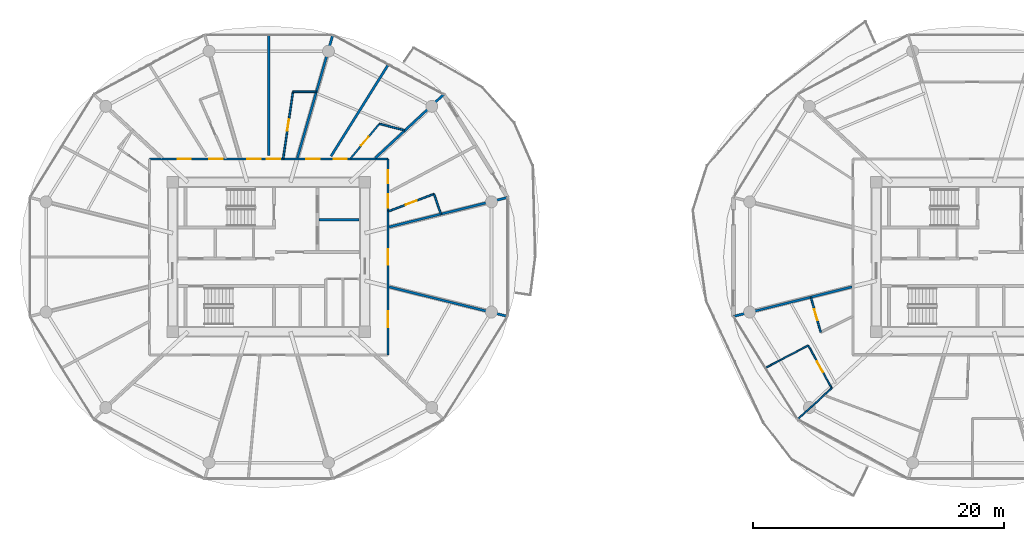
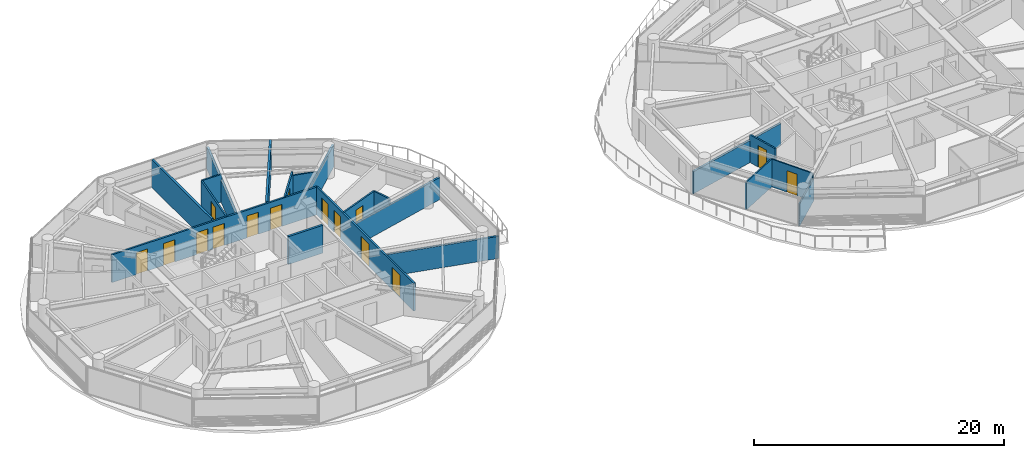
# One storey, part 17 of 26: 20 walls, 15 doors, 15 openings.
"""IFC4 building model written with IfcOpenShell, lengths in metres."""

from ifc_helpers import new_model, si_unit, direction, frame, frame_2d, origin, place, context, subcontext, project, spatial, rectangle, extrude, source, transform, mapped, material, layer, layer_set, type_object, type_shapes, element, fill, save


model = new_model("IFC4")

# Units and contexts
model_context = context("Model", 3, precision=1e-05, world=origin(), true_north=direction((0.0, 1.0)))
body_context = subcontext(model_context, "Body", "Model", "MODEL_VIEW")
ifc_project = project(units=[si_unit("LENGTHUNIT", "METRE"), si_unit("AREAUNIT", "SQUARE_METRE"), si_unit("VOLUMEUNIT", "CUBIC_METRE"), si_unit("PLANEANGLEUNIT", "RADIAN"), si_unit("MASSUNIT", "GRAM", prefix="KILO")], contexts=[model_context])

# Site, building, storey
site_placement = place(None, origin())
site = spatial("IfcSite", under=ifc_project, at=site_placement, CompositionType="ELEMENT")
building_placement = place(site_placement, origin())
building = spatial("IfcBuilding", under=site, at=building_placement, Name="Norrkilde Senior Care Towers", CompositionType="ELEMENT")
storey_placement = place(building_placement, frame((0.0, 0.0, 70.39990234375)))
storey = spatial("IfcBuildingStorey", under=building, at=storey_placement, Name="L21", CompositionType="ELEMENT", Elevation=70.39990234375)

# Wall
ifc_material_1 = material(Name="Concrete C45/55", Category="concrete")
ifc_layer_1 = layer(ifc_material_1, 0.199951171875)
ifc_layer_set_1 = layer_set([ifc_layer_1], Name="Concrete C45/55")
wall_type_1 = type_object("IfcWallType", Name="Shaft Division and Plant Partition 200", PredefinedType="PARTITIONING", material=ifc_layer_set_1)
shared_shape_1 = source(origin(), body_context, "Body", "SweptSolid", [
    extrude(rectangle(XDim=3.199951171875, YDim=0.199951171875, at=frame_2d((1.60009765625, 0.0))), origin(), (0.0, 0.0, 1.0), 2.715087890625),
])
type_shapes(wall_type_1, [shared_shape_1])
wall_1_placement = place(storey_placement, frame((-24.0, 2.949951171875, 0.0), z_axis=(0.0, 0.0, 1.0), x_axis=(1.0, 0.0, 0.0)))
element("IfcWall", 1, at=wall_1_placement, inside=storey, type_object=wall_type_1, Name="WL-INT-L21-W-FFLDIV", PredefinedType="PARTITIONING", context=body_context, shape_type="MappedRepresentation", body=[
    mapped(shared_shape_1, transform((0.0, 0.0, 0.0), x_axis=(1.0, 0.0, 0.0), y_axis=(0.0, 1.0, 0.0), z_axis=(0.0, 0.0, 1.0), scale=1.0)),
])

# Wall, openings, doors
ifc_material_2 = material(Name="Gypsum Acoustic Board")
ifc_layer_2 = layer(ifc_material_2, 0.1650390625)
ifc_layer_set_2 = layer_set([ifc_layer_2], Name="Gypsum Acoustic Board")
wall_type_2 = type_object("IfcWallType", Name="Corridor Rated Partition 165", PredefinedType="PARTITIONING", material=ifc_layer_set_2)
shared_shape_2 = source(origin(), body_context, "Body", "SweptSolid", [
    extrude(rectangle(XDim=19.0, YDim=0.1650390625, at=frame_2d((9.5, 0.0))), origin(), (0.0, 0.0, 1.0), 2.715087890625),
])
wall_2_placement = place(storey_placement, frame((-37.5, 7.800048828125, 0.0), z_axis=(0.0, 0.0, 1.0), x_axis=(1.0, 0.0, 0.0)))
wall_2 = element("IfcWall", 2, at=wall_2_placement, inside=storey, type_object=wall_type_2, Name="WL-INT-L21-W-CRW-N-0", PredefinedType="PARTITIONING", context=body_context, shape_type="MappedRepresentation", body=[
    mapped(shared_shape_2, transform((0.0, 0.0, 0.0), x_axis=(1.0, 0.0, 0.0), y_axis=(0.0, 1.0, 0.0), z_axis=(0.0, 0.0, 1.0), scale=1.0)),
])
opening_1_placement = place(wall_2_placement, frame((14.6533203125, 0.0, 0.0)))
opening_1 = element("IfcOpeningElement", 3, at=opening_1_placement, cuts=wall_2, Name="Opening D-06", PredefinedType="OPENING", context=body_context, shape_type="SweptSolid", body=[
    extrude(rectangle(XDim=1.050048828125, YDim=2.14990234375, at=frame_2d((0.52490234375, 1.074951171875))), frame((0.0, 0.092529296875, 0.0), z_axis=(0.0, -1.0, 0.0), x_axis=(1.0, 0.0, 0.0)), (0.0, 0.0, 1.0), 0.18505859375),
])
opening_2_placement = place(wall_2_placement, frame((12.499755859375, 0.0, 0.0)))
opening_2 = element("IfcOpeningElement", 4, at=opening_2_placement, cuts=wall_2, Name="Opening D-06", PredefinedType="OPENING", context=body_context, shape_type="SweptSolid", body=[
    extrude(rectangle(XDim=1.050048828125, YDim=2.14990234375, at=frame_2d((0.52490234375, 1.074951171875))), frame((0.0, 0.092529296875, 0.0), z_axis=(0.0, -1.0, 0.0), x_axis=(1.0, 0.0, 0.0)), (0.0, 0.0, 1.0), 0.18505859375),
])
opening_3_placement = place(wall_2_placement, frame((9.351806640625, 0.0, 0.0)))
opening_3 = element("IfcOpeningElement", 5, at=opening_3_placement, cuts=wall_2, Name="Opening D-06", PredefinedType="OPENING", context=body_context, shape_type="SweptSolid", body=[
    extrude(rectangle(XDim=1.050048828125, YDim=2.14990234375, at=frame_2d((0.52490234375, 1.074951171875))), frame((0.0, 0.092529296875, 0.0), z_axis=(0.0, -1.0, 0.0), x_axis=(1.0, 0.0, 0.0)), (0.0, 0.0, 1.0), 0.18505859375),
])
opening_4_placement = place(wall_2_placement, frame((7.806396484375, 0.0, 0.0)))
opening_4 = element("IfcOpeningElement", 6, at=opening_4_placement, cuts=wall_2, Name="Opening D-06", PredefinedType="OPENING", context=body_context, shape_type="SweptSolid", body=[
    extrude(rectangle(XDim=1.050048828125, YDim=2.14990234375, at=frame_2d((0.52490234375, 1.074951171875))), frame((0.0, 0.092529296875, 0.0), z_axis=(0.0, -1.0, 0.0), x_axis=(1.0, 0.0, 0.0)), (0.0, 0.0, 1.0), 0.18505859375),
])
opening_5_placement = place(wall_2_placement, frame((4.77294921875, 0.0, 0.0)))
opening_5 = element("IfcOpeningElement", 7, at=opening_5_placement, cuts=wall_2, Name="Opening D-06", PredefinedType="OPENING", context=body_context, shape_type="SweptSolid", body=[
    extrude(rectangle(XDim=1.050048828125, YDim=2.14990234375, at=frame_2d((0.52490234375, 1.074951171875))), frame((0.0, 0.092529296875, 0.0), z_axis=(0.0, -1.0, 0.0), x_axis=(1.0, 0.0, 0.0)), (0.0, 0.0, 1.0), 0.18505859375),
])
opening_6_placement = place(wall_2_placement, frame((2.251220703125, 0.0, 0.0)))
opening_6 = element("IfcOpeningElement", 8, at=opening_6_placement, cuts=wall_2, Name="Opening D-06", PredefinedType="OPENING", context=body_context, shape_type="SweptSolid", body=[
    extrude(rectangle(XDim=1.050048828125, YDim=2.14990234375, at=frame_2d((0.52490234375, 1.074951171875))), frame((0.0, 0.092529296875, 0.0), z_axis=(0.0, -1.0, 0.0), x_axis=(1.0, 0.0, 0.0)), (0.0, 0.0, 1.0), 0.18505859375),
])
ifc_material_3 = material(Name="Nordic Ash Timber", Category="wood")
door_type_1 = type_object("IfcDoorType", Name="Apartment Entrance Fire Door 1050x2150", OperationType="NOTDEFINED", PredefinedType="DOOR", material=ifc_material_3)
shared_shape_3 = source(origin(), body_context, "Body", "SweptSolid", [
    extrude(rectangle(XDim=1.050048828125, YDim=2.14990234375, at=frame_2d((0.52490234375, 1.074951171875))), frame((0.0, 0.02490234375, 0.0), z_axis=(0.0, -1.0, 0.0), x_axis=(1.0, 0.0, 0.0)), (0.0, 0.0, 1.0), 0.050048828125),
])
type_shapes(door_type_1, [shared_shape_3])
door_1_placement = place(opening_1_placement, frame((1.050048828125, 0.0, 0.0), z_axis=(0.0, 0.0, 1.0), x_axis=(-1.0, 0.0, 0.0)))
door_1 = element("IfcDoor", 9, at=door_1_placement, inside=storey, type_object=door_type_1, Name="L21 Care Suite 2101A Entrance Door", OperationType="SINGLE_SWING_RIGHT", OverallHeight=2.14990234375, OverallWidth=1.050048828125, PredefinedType="DOOR", context=body_context, shape_type="MappedRepresentation", body=[
    mapped(shared_shape_3, transform((0.0, 0.0, 0.0), x_axis=(1.0, 0.0, 0.0), y_axis=(0.0, 1.0, 0.0), z_axis=(0.0, 0.0, 1.0), scale=1.0)),
])
fill(opening_1, door_1)
door_2_placement = place(opening_2_placement, frame((1.050048828125, 0.0, 0.0), z_axis=(0.0, 0.0, 1.0), x_axis=(-1.0, 0.0, 0.0)))
door_2 = element("IfcDoor", 10, at=door_2_placement, inside=storey, type_object=door_type_1, Name="L21 Therapy Day Lounge 01 Door", OperationType="SINGLE_SWING_LEFT", OverallHeight=2.14990234375, OverallWidth=1.050048828125, PredefinedType="DOOR", context=body_context, shape_type="MappedRepresentation", body=[
    mapped(shared_shape_3, transform((0.0, 0.0, 0.0), x_axis=(1.0, 0.0, 0.0), y_axis=(0.0, 1.0, 0.0), z_axis=(0.0, 0.0, 1.0), scale=1.0)),
])
fill(opening_2, door_2)
door_3_placement = place(opening_3_placement, frame((1.050048828125, 0.0, 0.0), z_axis=(0.0, 0.0, 1.0), x_axis=(-1.0, 0.0, 0.0)))
door_3 = element("IfcDoor", 11, at=door_3_placement, inside=storey, type_object=door_type_1, Name="L21 Care Suite 2102A Entrance Door", OperationType="SINGLE_SWING_LEFT", OverallHeight=2.14990234375, OverallWidth=1.050048828125, PredefinedType="DOOR", context=body_context, shape_type="MappedRepresentation", body=[
    mapped(shared_shape_3, transform((0.0, 0.0, 0.0), x_axis=(1.0, 0.0, 0.0), y_axis=(0.0, 1.0, 0.0), z_axis=(0.0, 0.0, 1.0), scale=1.0)),
])
fill(opening_3, door_3)
door_4_placement = place(opening_4_placement, frame((1.050048828125, 0.0, 0.0), z_axis=(0.0, 0.0, 1.0), x_axis=(-1.0, 0.0, 0.0)))
door_4 = element("IfcDoor", 12, at=door_4_placement, inside=storey, type_object=door_type_1, Name="L21 Therapy Day Lounge 02 Door", OperationType="SINGLE_SWING_RIGHT", OverallHeight=2.14990234375, OverallWidth=1.050048828125, PredefinedType="DOOR", context=body_context, shape_type="MappedRepresentation", body=[
    mapped(shared_shape_3, transform((0.0, 0.0, 0.0), x_axis=(1.0, 0.0, 0.0), y_axis=(0.0, 1.0, 0.0), z_axis=(0.0, 0.0, 1.0), scale=1.0)),
])
fill(opening_4, door_4)
door_5_placement = place(opening_5_placement, frame((1.050048828125, 0.0, 0.0), z_axis=(0.0, 0.0, 1.0), x_axis=(-1.0, 0.0, 0.0)))
door_5 = element("IfcDoor", 13, at=door_5_placement, inside=storey, type_object=door_type_1, Name="L21 Care Suite 2103A Entrance Door", OperationType="SINGLE_SWING_RIGHT", OverallHeight=2.14990234375, OverallWidth=1.050048828125, PredefinedType="DOOR", context=body_context, shape_type="MappedRepresentation", body=[
    mapped(shared_shape_3, transform((0.0, 0.0, 0.0), x_axis=(1.0, 0.0, 0.0), y_axis=(0.0, 1.0, 0.0), z_axis=(0.0, 0.0, 1.0), scale=1.0)),
])
fill(opening_5, door_5)
door_6_placement = place(opening_6_placement, frame((1.050048828125, 0.0, 0.0), z_axis=(0.0, 0.0, 1.0), x_axis=(-1.0, 0.0, 0.0)))
door_6 = element("IfcDoor", 14, at=door_6_placement, inside=storey, type_object=door_type_1, Name="L21 Therapy Day Lounge 03 Door", OperationType="SINGLE_SWING_LEFT", OverallHeight=2.14990234375, OverallWidth=1.050048828125, PredefinedType="DOOR", context=body_context, shape_type="MappedRepresentation", body=[
    mapped(shared_shape_3, transform((0.0, 0.0, 0.0), x_axis=(1.0, 0.0, 0.0), y_axis=(0.0, 1.0, 0.0), z_axis=(0.0, 0.0, 1.0), scale=1.0)),
])
fill(opening_6, door_6)

shared_shape_4 = source(origin(), body_context, "Body", "SweptSolid", [
    extrude(rectangle(XDim=15.60009765625, YDim=0.1650390625, at=frame_2d((7.800048828125, 0.0))), origin(), (0.0, 0.0, 1.0), 2.715087890625),
])
type_shapes(wall_type_2, [shared_shape_2, shared_shape_4])
wall_3_placement = place(storey_placement, frame((-18.5, 7.800048828125, 0.0), z_axis=(0.0, 0.0, 1.0), x_axis=(0.0, -1.0, 0.0)))
wall_3 = element("IfcWall", 15, at=wall_3_placement, inside=storey, type_object=wall_type_2, Name="WL-INT-L21-W-CRW-E-0", PredefinedType="PARTITIONING", context=body_context, shape_type="MappedRepresentation", body=[
    mapped(shared_shape_4, transform((0.0, 0.0, 0.0), x_axis=(1.0, 0.0, 0.0), y_axis=(0.0, 1.0, 0.0), z_axis=(0.0, 0.0, 1.0), scale=1.0)),
])
opening_7_placement = place(wall_3_placement, frame((12.141357421875, 0.0, 0.0)))
opening_7 = element("IfcOpeningElement", 16, at=opening_7_placement, cuts=wall_3, Name="Opening D-05", PredefinedType="OPENING", context=body_context, shape_type="SweptSolid", body=[
    extrude(rectangle(XDim=1.25, YDim=2.199951171875, at=frame_2d((0.625, 1.10009765625))), frame((0.0, 0.092529296875, 0.0), z_axis=(0.0, -1.0, 0.0), x_axis=(1.0, 0.0, 0.0)), (0.0, 0.0, 1.0), 0.18505859375),
])
opening_8_placement = place(wall_3_placement, frame((7.175048828125, 0.0, 0.0)))
opening_8 = element("IfcOpeningElement", 17, at=opening_8_placement, cuts=wall_3, Name="Opening D-05", PredefinedType="OPENING", context=body_context, shape_type="SweptSolid", body=[
    extrude(rectangle(XDim=1.25, YDim=2.199951171875, at=frame_2d((0.625, 1.10009765625))), frame((0.0, 0.092529296875, 0.0), z_axis=(0.0, -1.0, 0.0), x_axis=(1.0, 0.0, 0.0)), (0.0, 0.0, 1.0), 0.18505859375),
])
opening_9_placement = place(wall_3_placement, frame((2.826416015625, 0.0, 0.0)))
opening_9 = element("IfcOpeningElement", 18, at=opening_9_placement, cuts=wall_3, Name="Opening D-06", PredefinedType="OPENING", context=body_context, shape_type="SweptSolid", body=[
    extrude(rectangle(XDim=1.050048828125, YDim=2.14990234375, at=frame_2d((0.52490234375, 1.074951171875))), frame((0.0, 0.092529296875, 0.0), z_axis=(0.0, -1.0, 0.0), x_axis=(1.0, 0.0, 0.0)), (0.0, 0.0, 1.0), 0.18505859375),
])
opening_10_placement = place(wall_3_placement, frame((0.88134765625, 0.0, 0.0)))
opening_10 = element("IfcOpeningElement", 19, at=opening_10_placement, cuts=wall_3, Name="Opening D-06", PredefinedType="OPENING", context=body_context, shape_type="SweptSolid", body=[
    extrude(rectangle(XDim=1.050048828125, YDim=2.14990234375, at=frame_2d((0.52490234375, 1.074951171875))), frame((0.0, 0.092529296875, 0.0), z_axis=(0.0, -1.0, 0.0), x_axis=(1.0, 0.0, 0.0)), (0.0, 0.0, 1.0), 0.18505859375),
])
door_type_2 = type_object("IfcDoorType", Name="Care Bedroom Bariatric Door 1250x2200", OperationType="NOTDEFINED", PredefinedType="DOOR", material=ifc_material_3)
shared_shape_5 = source(origin(), body_context, "Body", "SweptSolid", [
    extrude(rectangle(XDim=1.25, YDim=2.199951171875, at=frame_2d((0.625, 1.10009765625))), frame((0.0, 0.02490234375, 0.0), z_axis=(0.0, -1.0, 0.0), x_axis=(1.0, 0.0, 0.0)), (0.0, 0.0, 1.0), 0.050048828125),
])
type_shapes(door_type_2, [shared_shape_5])
door_7_placement = place(opening_7_placement, frame((1.25, 0.0, 0.0), z_axis=(0.0, 0.0, 1.0), x_axis=(-1.0, 0.0, 0.0)))
door_7 = element("IfcDoor", 20, at=door_7_placement, inside=storey, type_object=door_type_2, Name="L21 Care Coordination Charting Office Door", OperationType="SINGLE_SWING_LEFT", OverallHeight=2.199951171875, OverallWidth=1.25, PredefinedType="DOOR", context=body_context, shape_type="MappedRepresentation", body=[
    mapped(shared_shape_5, transform((0.0, 0.0, 0.0), x_axis=(1.0, 0.0, 0.0), y_axis=(0.0, 1.0, 0.0), z_axis=(0.0, 0.0, 1.0), scale=1.0)),
])
fill(opening_7, door_7)
door_8_placement = place(opening_8_placement, frame((1.25, 0.0, 0.0), z_axis=(0.0, 0.0, 1.0), x_axis=(-1.0, 0.0, 0.0)))
door_8 = element("IfcDoor", 21, at=door_8_placement, inside=storey, type_object=door_type_2, Name="L21 Resident Family Conference Room Door", OperationType="SINGLE_SWING_RIGHT", OverallHeight=2.199951171875, OverallWidth=1.25, PredefinedType="DOOR", context=body_context, shape_type="MappedRepresentation", body=[
    mapped(shared_shape_5, transform((0.0, 0.0, 0.0), x_axis=(1.0, 0.0, 0.0), y_axis=(0.0, 1.0, 0.0), z_axis=(0.0, 0.0, 1.0), scale=1.0)),
])
fill(opening_8, door_8)
door_9_placement = place(opening_9_placement, frame((1.050048828125, 0.0, 0.0), z_axis=(0.0, 0.0, 1.0), x_axis=(-1.0, 0.0, 0.0)))
door_9 = element("IfcDoor", 22, at=door_9_placement, inside=storey, type_object=door_type_1, Name="L21 Care Suite 2100A Entrance Door", OperationType="SINGLE_SWING_LEFT", OverallHeight=2.14990234375, OverallWidth=1.050048828125, PredefinedType="DOOR", context=body_context, shape_type="MappedRepresentation", body=[
    mapped(shared_shape_3, transform((0.0, 0.0, 0.0), x_axis=(1.0, 0.0, 0.0), y_axis=(0.0, 1.0, 0.0), z_axis=(0.0, 0.0, 1.0), scale=1.0)),
])
fill(opening_9, door_9)
door_10_placement = place(opening_10_placement, frame((1.050048828125, 0.0, 0.0), z_axis=(0.0, 0.0, 1.0), x_axis=(-1.0, 0.0, 0.0)))
door_10 = element("IfcDoor", 23, at=door_10_placement, inside=storey, type_object=door_type_1, Name="L21 Therapy Day Lounge 00 Door", OperationType="SINGLE_SWING_RIGHT", OverallHeight=2.14990234375, OverallWidth=1.050048828125, PredefinedType="DOOR", context=body_context, shape_type="MappedRepresentation", body=[
    mapped(shared_shape_3, transform((0.0, 0.0, 0.0), x_axis=(1.0, 0.0, 0.0), y_axis=(0.0, 1.0, 0.0), z_axis=(0.0, 0.0, 1.0), scale=1.0)),
])
fill(opening_10, door_10)

# Walls
ifc_layer_3 = layer(ifc_material_2, 0.18994140625)
ifc_layer_set_3 = layer_set([ifc_layer_3], Name="Gypsum Acoustic Board")
wall_type_3 = type_object("IfcWallType", Name="Unit Demising Acoustic Wall 190", PredefinedType="PARTITIONING", material=ifc_layer_set_3)
shared_shape_6 = source(origin(), body_context, "Body", "SweptSolid", [
    extrude(rectangle(XDim=9.737060546875, YDim=0.18994140625, at=frame_2d((4.86865234375, 0.0))), origin(), (0.0, 0.0, 1.0), 2.1650390625),
])
for number, where, z_axis, x_axis, name in (
    (24, (-18.419921875, -2.384521484375, 0.0), (0.0, 0.0, 1.0), (0.970392716238, -0.241532557375, 0.0), "WL-INT-L21-W-DEM-11-0"),
    (25, (-18.419921875, 2.384521484375, 0.0), (0.0, 0.0, 1.0), (0.970392716238, 0.241532557375, 0.0), "WL-INT-L21-W-DEM-00-0"),
    (26, (18.419921875, -2.384521484375, 0.0), (0.0, 0.0, 1.0), (-0.970392716238, -0.241532557375, 0.0), "WL-INT-L21-E-DEM-06-0"),
):
    element("IfcWall", number, at=place(storey_placement, frame(where, z_axis=z_axis, x_axis=x_axis)), inside=storey, type_object=wall_type_3, Name=name, PredefinedType="PARTITIONING", context=body_context, shape_type="MappedRepresentation", body=[
        mapped(shared_shape_6, transform((0.0, 0.0, 0.0), x_axis=(1.0, 0.0, 0.0), y_axis=(0.0, 1.0, 0.0), z_axis=(0.0, 0.0, 1.0), scale=1.0)),
    ])
shared_shape_7 = source(origin(), body_context, "Body", "SweptSolid", [
    extrude(rectangle(XDim=7.4345703125, YDim=0.18994140625, at=frame_2d((3.71728515625, 0.0))), origin(), (0.0, 0.0, 1.0), 2.1650390625),
])
wall_4_placement = place(storey_placement, frame((-19.51708984375, 7.8798828125, 0.0), z_axis=(0.0, 0.0, 1.0), x_axis=(0.732651956848, 0.680603489652, 0.0)))
element("IfcWall", 27, at=wall_4_placement, inside=storey, type_object=wall_type_3, Name="WL-INT-L21-W-DEM-01-0", PredefinedType="PARTITIONING", context=body_context, shape_type="MappedRepresentation", body=[
    mapped(shared_shape_7, transform((0.0, 0.0, 0.0), x_axis=(1.0, 0.0, 0.0), y_axis=(0.0, 1.0, 0.0), z_axis=(0.0, 0.0, 1.0), scale=1.0)),
])
shared_shape_8 = source(origin(), body_context, "Body", "SweptSolid", [
    extrude(rectangle(XDim=10.196044921875, YDim=0.18994140625, at=frame_2d((5.09814453125, 0.0))), origin(), (0.0, 0.0, 1.0), 2.1650390625),
])
wall_5_placement = place(storey_placement, frame((-25.72705078125, 7.8798828125, 0.0), z_axis=(0.0, 0.0, 1.0), x_axis=(0.277136420347, 0.960830580549, 0.0)))
element("IfcWall", 28, at=wall_5_placement, inside=storey, type_object=wall_type_3, Name="WL-INT-L21-W-DEM-02-0", PredefinedType="PARTITIONING", context=body_context, shape_type="MappedRepresentation", body=[
    mapped(shared_shape_8, transform((0.0, 0.0, 0.0), x_axis=(1.0, 0.0, 0.0), y_axis=(0.0, 1.0, 0.0), z_axis=(0.0, 0.0, 1.0), scale=1.0)),
])

# Wall, opening, door
ifc_layer_4 = layer(ifc_material_2, 0.139892578125)
ifc_layer_set_4 = layer_set([ifc_layer_4], Name="Gypsum Acoustic Board")
wall_type_4 = type_object("IfcWallType", Name="En-suite Wet Room Wall 140", PredefinedType="PARTITIONING", material=ifc_layer_set_4)
shared_shape_9 = source(origin(), body_context, "Body", "SweptSolid", [
    extrude(rectangle(XDim=3.8740234375, YDim=0.139892578125, at=frame_2d((1.93701171875, 0.0))), origin(), (0.0, 0.0, 1.0), 2.715087890625),
])
wall_6_placement = place(storey_placement, frame((-18.469970703125, 3.631591796875, 0.0), z_axis=(0.0, 0.0, 1.0), x_axis=(0.934461775659, 0.35606346321, 0.0)))
wall_6 = element("IfcWall", 29, at=wall_6_placement, inside=storey, type_object=wall_type_4, Name="WL-INT-L21-W-ES-00A", PredefinedType="PARTITIONING", context=body_context, shape_type="MappedRepresentation", body=[
    mapped(shared_shape_9, transform((0.0, 0.0, 0.0), x_axis=(1.0, 0.0, 0.0), y_axis=(0.0, 1.0, 0.0), z_axis=(0.0, 0.0, 1.0), scale=1.0)),
])
opening_11_placement = place(wall_6_placement, frame((1.47705078125, 0.0, 0.0)))
opening_11 = element("IfcOpeningElement", 30, at=opening_11_placement, cuts=wall_6, Name="Opening D-08", PredefinedType="OPENING", context=body_context, shape_type="SweptSolid", body=[
    extrude(rectangle(XDim=0.919921875, YDim=2.10009765625, at=frame_2d((0.4599609375, 1.050048828125))), frame((0.0, 0.079833984375, 0.0), z_axis=(0.0, -1.0, 0.0), x_axis=(1.0, 0.0, 0.0)), (0.0, 0.0, 1.0), 0.159912109375),
])
door_type_3 = type_object("IfcDoorType", Name="Accessible Wet Room Door 920x2100", OperationType="NOTDEFINED", PredefinedType="DOOR", material=ifc_material_3)
shared_shape_10 = source(origin(), body_context, "Body", "SweptSolid", [
    extrude(rectangle(XDim=0.919921875, YDim=2.10009765625, at=frame_2d((0.4599609375, 1.050048828125))), frame((0.0, 0.02490234375, 0.0), z_axis=(0.0, -1.0, 0.0), x_axis=(1.0, 0.0, 0.0)), (0.0, 0.0, 1.0), 0.050048828125),
])
type_shapes(door_type_3, [shared_shape_10])
door_11_placement = place(opening_11_placement, origin())
door_11 = element("IfcDoor", 31, at=door_11_placement, inside=storey, type_object=door_type_3, Name="L21 Care Suite 2100A Bathroom Door", OperationType="SINGLE_SWING_RIGHT", OverallHeight=2.10009765625, OverallWidth=0.919921875, PredefinedType="DOOR", context=body_context, shape_type="MappedRepresentation", body=[
    mapped(shared_shape_10, transform((0.0, 0.0, 0.0), x_axis=(1.0, 0.0, 0.0), y_axis=(0.0, 1.0, 0.0), z_axis=(0.0, 0.0, 1.0), scale=1.0)),
])
fill(opening_11, door_11)

# Walls
shared_shape_11 = source(origin(), body_context, "Body", "SweptSolid", [
    extrude(rectangle(XDim=1.67578125, YDim=0.139892578125, at=frame_2d((0.837890625, 0.0))), origin(), (0.0, 0.0, 1.0), 2.715087890625),
])
wall_7_placement = place(storey_placement, frame((-14.849853515625, 5.010986328125, 0.0), z_axis=(0.0, 0.0, 1.0), x_axis=(0.327785970556, -0.944752008469, 0.0)))
element("IfcWall", 32, at=wall_7_placement, inside=storey, type_object=wall_type_4, Name="WL-INT-L21-W-EF-00A", PredefinedType="PARTITIONING", context=body_context, shape_type="MappedRepresentation", body=[
    mapped(shared_shape_11, transform((0.0, 0.0, 0.0), x_axis=(1.0, 0.0, 0.0), y_axis=(0.0, 1.0, 0.0), z_axis=(0.0, 0.0, 1.0), scale=1.0)),
])
shared_shape_12 = source(origin(), body_context, "Body", "SweptSolid", [
    extrude(rectangle(XDim=8.59814453125, YDim=0.18994140625, at=frame_2d((4.299072265625, 0.0))), origin(), (0.0, 0.0, 1.0), 2.715087890625),
])
wall_8_placement = place(storey_placement, frame((-23.04296875, 8.017333984375, 0.0), z_axis=(0.0, 0.0, 1.0), x_axis=(0.530039776395, 0.847972779893, 0.0)))
element("IfcWall", 33, at=wall_8_placement, inside=storey, type_object=wall_type_3, Name="WL-INT-L21-W-CMID-01", PredefinedType="PARTITIONING", context=body_context, shape_type="MappedRepresentation", body=[
    mapped(shared_shape_12, transform((0.0, 0.0, 0.0), x_axis=(1.0, 0.0, 0.0), y_axis=(0.0, 1.0, 0.0), z_axis=(0.0, 0.0, 1.0), scale=1.0)),
])

# Wall, opening, door
shared_shape_13 = source(origin(), body_context, "Body", "SweptSolid", [
    extrude(rectangle(XDim=3.594482421875, YDim=0.139892578125, at=frame_2d((1.79736328125, 0.0))), origin(), (0.0, 0.0, 1.0), 2.715087890625),
])
wall_9_placement = place(storey_placement, frame((-21.49560546875, 7.830078125, 0.0), z_axis=(0.0, 0.0, 1.0), x_axis=(0.639001147083, 0.769205781326, 0.0)))
wall_9 = element("IfcWall", 34, at=wall_9_placement, inside=storey, type_object=wall_type_4, Name="WL-INT-L21-W-ES-01A", PredefinedType="PARTITIONING", context=body_context, shape_type="MappedRepresentation", body=[
    mapped(shared_shape_13, transform((0.0, 0.0, 0.0), x_axis=(1.0, 0.0, 0.0), y_axis=(0.0, 1.0, 0.0), z_axis=(0.0, 0.0, 1.0), scale=1.0)),
])
opening_12_placement = place(wall_9_placement, frame((1.33740234375, 0.0, 0.0)))
opening_12 = element("IfcOpeningElement", 35, at=opening_12_placement, cuts=wall_9, Name="Opening D-08", PredefinedType="OPENING", context=body_context, shape_type="SweptSolid", body=[
    extrude(rectangle(XDim=0.919921875, YDim=2.10009765625, at=frame_2d((0.4599609375, 1.050048828125))), frame((0.0, 0.079833984375, 0.0), z_axis=(0.0, -1.0, 0.0), x_axis=(1.0, 0.0, 0.0)), (0.0, 0.0, 1.0), 0.159912109375),
])
door_12_placement = place(opening_12_placement, origin())
door_12 = element("IfcDoor", 36, at=door_12_placement, inside=storey, type_object=door_type_3, Name="L21 Care Suite 2101A Bathroom Door", OperationType="SINGLE_SWING_LEFT", OverallHeight=2.10009765625, OverallWidth=0.919921875, PredefinedType="DOOR", context=body_context, shape_type="MappedRepresentation", body=[
    mapped(shared_shape_10, transform((0.0, 0.0, 0.0), x_axis=(1.0, 0.0, 0.0), y_axis=(0.0, 1.0, 0.0), z_axis=(0.0, 0.0, 1.0), scale=1.0)),
])
fill(opening_12, door_12)

# Walls
shared_shape_14 = source(origin(), body_context, "Body", "SweptSolid", [
    extrude(rectangle(XDim=2.06201171875, YDim=0.139892578125, at=frame_2d((1.031005859375, 0.0))), origin(), (0.0, 0.0, 1.0), 2.35498046875),
])
wall_10_placement = place(storey_placement, frame((-19.19873046875, 10.594970703125, 0.0), z_axis=(0.0, 0.0, 1.0), x_axis=(0.968776253543, -0.247936626121, 0.0)))
element("IfcWall", 37, at=wall_10_placement, inside=storey, type_object=wall_type_4, Name="WL-INT-L21-W-EF-01A", PredefinedType="PARTITIONING", context=body_context, shape_type="MappedRepresentation", body=[
    mapped(shared_shape_14, transform((0.0, 0.0, 0.0), x_axis=(1.0, 0.0, 0.0), y_axis=(0.0, 1.0, 0.0), z_axis=(0.0, 0.0, 1.0), scale=1.0)),
])
shared_shape_15 = source(origin(), body_context, "Body", "SweptSolid", [
    extrude(rectangle(XDim=9.6005859375, YDim=0.18994140625, at=frame_2d((4.80029296875, 0.0))), origin(), (0.0, 0.0, 1.0), 2.715087890625),
])
type_shapes(wall_type_3, [shared_shape_6, shared_shape_7, shared_shape_8, shared_shape_12, shared_shape_15])
wall_11_placement = place(storey_placement, frame((-28.0, 8.075927734375, 0.0), z_axis=(0.0, 0.0, 1.0), x_axis=(0.0, 1.0, 0.0)))
element("IfcWall", 38, at=wall_11_placement, inside=storey, type_object=wall_type_3, Name="WL-INT-L21-W-CMID-02", PredefinedType="PARTITIONING", context=body_context, shape_type="MappedRepresentation", body=[
    mapped(shared_shape_15, transform((0.0, 0.0, 0.0), x_axis=(1.0, 0.0, 0.0), y_axis=(0.0, 1.0, 0.0), z_axis=(0.0, 0.0, 1.0), scale=1.0)),
])

# Wall, opening, door
shared_shape_16 = source(origin(), body_context, "Body", "SweptSolid", [
    extrude(rectangle(XDim=5.36962890625, YDim=0.139892578125, at=frame_2d((2.684814453125, 0.0))), origin(), (0.0, 0.0, 1.0), 2.715087890625),
])
wall_12_placement = place(storey_placement, frame((-26.851318359375, 7.830078125, 0.0), z_axis=(0.0, 0.0, 1.0), x_axis=(0.145131397853, 0.989412389935, 0.0)))
wall_12 = element("IfcWall", 39, at=wall_12_placement, inside=storey, type_object=wall_type_4, Name="WL-INT-L21-W-ES-02A", PredefinedType="PARTITIONING", context=body_context, shape_type="MappedRepresentation", body=[
    mapped(shared_shape_16, transform((0.0, 0.0, 0.0), x_axis=(1.0, 0.0, 0.0), y_axis=(0.0, 1.0, 0.0), z_axis=(0.0, 0.0, 1.0), scale=1.0)),
])
opening_13_placement = place(wall_12_placement, frame((2.224853515625, 0.0, 0.0)))
opening_13 = element("IfcOpeningElement", 40, at=opening_13_placement, cuts=wall_12, Name="Opening D-08", PredefinedType="OPENING", context=body_context, shape_type="SweptSolid", body=[
    extrude(rectangle(XDim=0.919921875, YDim=2.10009765625, at=frame_2d((0.4599609375, 1.050048828125))), frame((0.0, 0.079833984375, 0.0), z_axis=(0.0, -1.0, 0.0), x_axis=(1.0, 0.0, 0.0)), (0.0, 0.0, 1.0), 0.159912109375),
])
door_13_placement = place(opening_13_placement, origin())
door_13 = element("IfcDoor", 41, at=door_13_placement, inside=storey, type_object=door_type_3, Name="L21 Care Suite 2102A Bathroom Door", OperationType="SINGLE_SWING_RIGHT", OverallHeight=2.10009765625, OverallWidth=0.919921875, PredefinedType="DOOR", context=body_context, shape_type="MappedRepresentation", body=[
    mapped(shared_shape_10, transform((0.0, 0.0, 0.0), x_axis=(1.0, 0.0, 0.0), y_axis=(0.0, 1.0, 0.0), z_axis=(0.0, 0.0, 1.0), scale=1.0)),
])
fill(opening_13, door_13)

# Walls
shared_shape_17 = source(origin(), body_context, "Body", "SweptSolid", [
    extrude(rectangle(XDim=1.842529296875, YDim=0.139892578125, at=frame_2d((0.92138671875, 0.0))), origin(), (0.0, 0.0, 1.0), 2.715087890625),
])
wall_13_placement = place(storey_placement, frame((-26.072021484375, 13.142822265625, 0.0), z_axis=(0.0, 0.0, 1.0), x_axis=(0.999998937801, -0.001457531246, 0.0)))
element("IfcWall", 42, at=wall_13_placement, inside=storey, type_object=wall_type_4, Name="WL-INT-L21-W-EF-02A", PredefinedType="PARTITIONING", context=body_context, shape_type="MappedRepresentation", body=[
    mapped(shared_shape_17, transform((0.0, 0.0, 0.0), x_axis=(1.0, 0.0, 0.0), y_axis=(0.0, 1.0, 0.0), z_axis=(0.0, 0.0, 1.0), scale=1.0)),
])
ifc_layer_5 = layer(ifc_material_2, 0.114990234375)
ifc_layer_set_5 = layer_set([ifc_layer_5], Name="Gypsum Acoustic Board")
wall_type_5 = type_object("IfcWallType", Name="Internal Room Partition 115", PredefinedType="PARTITIONING", material=ifc_layer_set_5)
shared_shape_18 = source(origin(), body_context, "Body", "SweptSolid", [
    extrude(rectangle(XDim=3.712890625, YDim=0.114990234375, at=frame_2d((1.8564453125, 0.0))), origin(), (0.0, 0.0, 1.0), 2.1650390625),
])
wall_14_placement = place(storey_placement, frame((16.817138671875, -10.442138671875, 0.0), z_axis=(0.0, 0.0, 1.0), x_axis=(-0.739877587881, -0.67274152165, 0.0)))
element("IfcWall", 43, at=wall_14_placement, inside=storey, type_object=wall_type_5, Name="WL-INT-L21-E-UBR-06-1", PredefinedType="PARTITIONING", context=body_context, shape_type="MappedRepresentation", body=[
    mapped(shared_shape_18, transform((0.0, 0.0, 0.0), x_axis=(1.0, 0.0, 0.0), y_axis=(0.0, 1.0, 0.0), z_axis=(0.0, 0.0, 1.0), scale=1.0)),
])

# Wall, opening, door
shared_shape_19 = source(origin(), body_context, "Body", "SweptSolid", [
    extrude(rectangle(XDim=2.884765625, YDim=0.139892578125, at=frame_2d((1.4423828125, 0.0))), origin(), (0.0, 0.0, 1.0), 2.715087890625),
])
type_shapes(wall_type_4, [shared_shape_9, shared_shape_11, shared_shape_13, shared_shape_14, shared_shape_16, shared_shape_17, shared_shape_19])
wall_15_placement = place(storey_placement, frame((15.93115234375, -5.9921875, 0.0), z_axis=(0.0, 0.0, 1.0), x_axis=(-0.269799431837, 0.962916541856, 0.0)))
wall_15 = element("IfcWall", 44, at=wall_15_placement, inside=storey, type_object=wall_type_4, Name="WL-INT-L21-E-UBTF-06", PredefinedType="PARTITIONING", context=body_context, shape_type="MappedRepresentation", body=[
    mapped(shared_shape_19, transform((0.0, 0.0, 0.0), x_axis=(1.0, 0.0, 0.0), y_axis=(0.0, 1.0, 0.0), z_axis=(0.0, 0.0, 1.0), scale=1.0)),
])
opening_14_placement = place(wall_15_placement, frame((0.982421875, 0.0, 0.0)))
opening_14 = element("IfcOpeningElement", 45, at=opening_14_placement, cuts=wall_15, Name="Opening D-08", PredefinedType="OPENING", context=body_context, shape_type="SweptSolid", body=[
    extrude(rectangle(XDim=0.919921875, YDim=2.10009765625, at=frame_2d((0.4599609375, 1.050048828125))), frame((0.0, 0.079833984375, 0.0), z_axis=(0.0, -1.0, 0.0), x_axis=(1.0, 0.0, 0.0)), (0.0, 0.0, 1.0), 0.159912109375),
])
door_14_placement = place(opening_14_placement, origin())
door_14 = element("IfcDoor", 46, at=door_14_placement, inside=storey, type_object=door_type_3, Name="Apartment 21A Bathroom Door", OperationType="SINGLE_SWING_RIGHT", OverallHeight=2.10009765625, OverallWidth=0.919921875, PredefinedType="DOOR", context=body_context, shape_type="MappedRepresentation", body=[
    mapped(shared_shape_10, transform((0.0, 0.0, 0.0), x_axis=(1.0, 0.0, 0.0), y_axis=(0.0, 1.0, 0.0), z_axis=(0.0, 0.0, 1.0), scale=1.0)),
])
fill(opening_14, door_14)

# Wall
shared_shape_20 = source(origin(), body_context, "Body", "SweptSolid", [
    extrude(rectangle(XDim=3.863525390625, YDim=0.114990234375, at=frame_2d((1.931640625, 0.0))), origin(), (0.0, 0.0, 1.0), 2.715087890625),
])
wall_16_placement = place(storey_placement, frame((14.9404296875, -7.040771484375, 0.0), z_axis=(0.0, 0.0, 1.0), x_axis=(-0.885194959803, -0.465220252289, 0.0)))
element("IfcWall", 47, at=wall_16_placement, inside=storey, type_object=wall_type_5, Name="WL-INT-L21-E-UKTS-06", PredefinedType="PARTITIONING", context=body_context, shape_type="MappedRepresentation", body=[
    mapped(shared_shape_20, transform((0.0, 0.0, 0.0), x_axis=(1.0, 0.0, 0.0), y_axis=(0.0, 1.0, 0.0), z_axis=(0.0, 0.0, 1.0), scale=1.0)),
])

# Wall, opening, door
shared_shape_21 = source(origin(), body_context, "Body", "SweptSolid", [
    extrude(rectangle(XDim=3.887939453125, YDim=0.114990234375, at=frame_2d((1.94384765625, 0.0))), origin(), (0.0, 0.0, 1.0), 2.715087890625),
])
type_shapes(wall_type_5, [shared_shape_18, shared_shape_20, shared_shape_21])
wall_17_placement = place(storey_placement, frame((14.9404296875, -7.040771484375, 0.0), z_axis=(0.0, 0.0, 1.0), x_axis=(0.480382482853, -0.877059103007, 0.0)))
wall_17 = element("IfcWall", 48, at=wall_17_placement, inside=storey, type_object=wall_type_5, Name="WL-INT-L21-E-UKTF-06", PredefinedType="PARTITIONING", context=body_context, shape_type="MappedRepresentation", body=[
    mapped(shared_shape_21, transform((0.0, 0.0, 0.0), x_axis=(1.0, 0.0, 0.0), y_axis=(0.0, 1.0, 0.0), z_axis=(0.0, 0.0, 1.0), scale=1.0)),
])
opening_15_placement = place(wall_17_placement, frame((1.468994140625, 0.0, 0.0)))
opening_15 = element("IfcOpeningElement", 49, at=opening_15_placement, cuts=wall_17, Name="Opening D-07", PredefinedType="OPENING", context=body_context, shape_type="SweptSolid", body=[
    extrude(rectangle(XDim=0.949951171875, YDim=2.10009765625, at=frame_2d((0.47509765625, 1.050048828125))), frame((0.0, 0.0673828125, 0.0), z_axis=(0.0, -1.0, 0.0), x_axis=(1.0, 0.0, 0.0)), (0.0, 0.0, 1.0), 0.135009765625),
])
door_type_4 = type_object("IfcDoorType", Name="Internal Suite Bedroom Door 950x2100", OperationType="NOTDEFINED", PredefinedType="DOOR", material=ifc_material_3)
shared_shape_22 = source(origin(), body_context, "Body", "SweptSolid", [
    extrude(rectangle(XDim=0.949951171875, YDim=2.10009765625, at=frame_2d((0.47509765625, 1.050048828125))), frame((0.0, 0.02490234375, 0.0), z_axis=(0.0, -1.0, 0.0), x_axis=(1.0, 0.0, 0.0)), (0.0, 0.0, 1.0), 0.050048828125),
])
type_shapes(door_type_4, [shared_shape_22])
door_15_placement = place(opening_15_placement, frame((0.949951171875, 0.0, 0.0), z_axis=(0.0, 0.0, 1.0), x_axis=(-1.0, 0.0, 0.0)))
door_15 = element("IfcDoor", 50, at=door_15_placement, inside=storey, type_object=door_type_4, Name="Apartment 21A Kitchen Door", OperationType="SINGLE_SWING_LEFT", OverallHeight=2.10009765625, OverallWidth=0.949951171875, PredefinedType="DOOR", context=body_context, shape_type="MappedRepresentation", body=[
    mapped(shared_shape_22, transform((0.0, 0.0, 0.0), x_axis=(1.0, 0.0, 0.0), y_axis=(0.0, 1.0, 0.0), z_axis=(0.0, 0.0, 1.0), scale=1.0)),
])
fill(opening_15, door_15)

save(model, "model.ifc")
